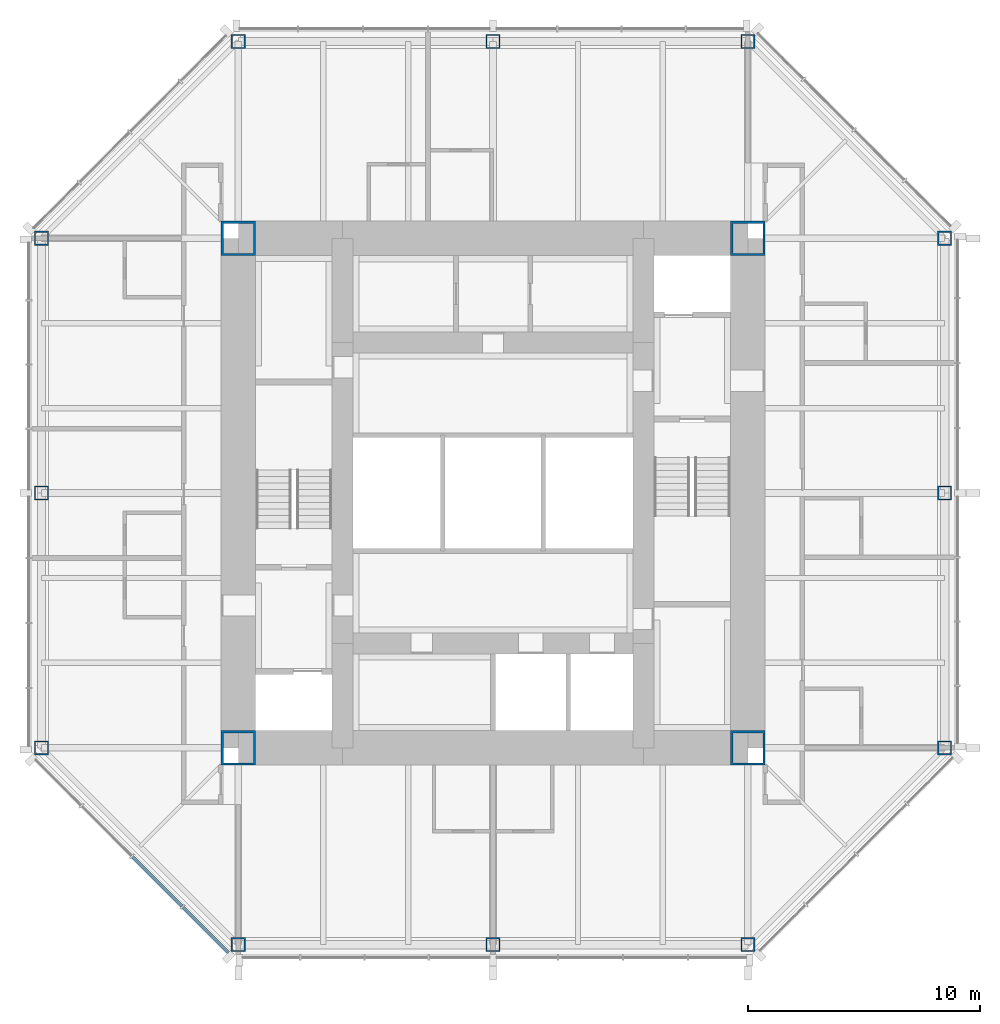
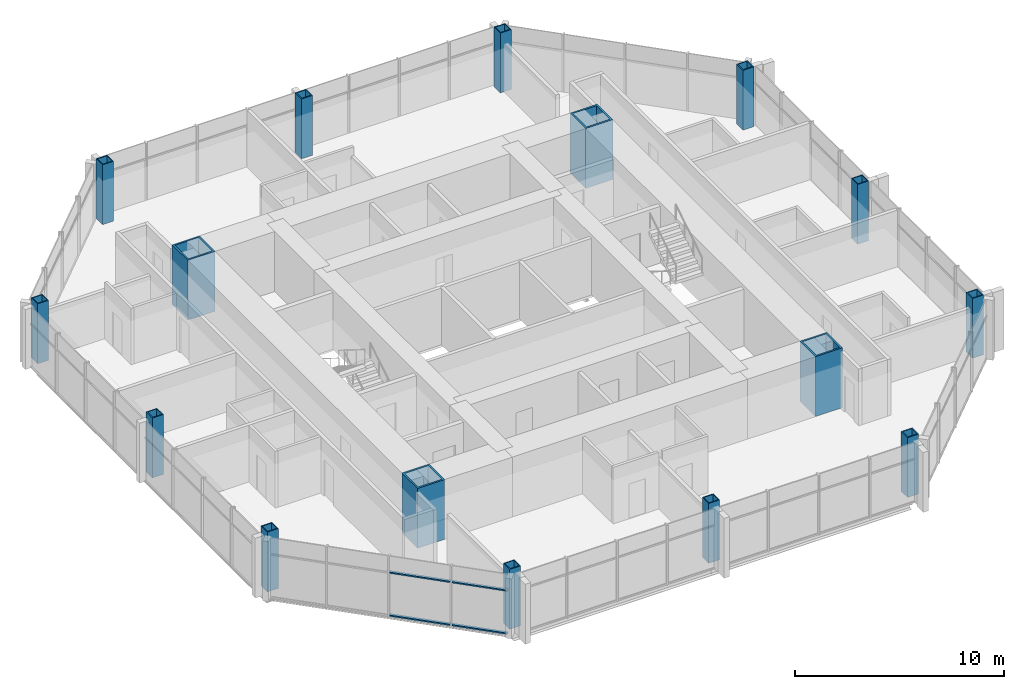
# One storey, part 1 of 11: 16 columns, 4 members, 1 element without a shape of its own.
"""IFC4 building model written with IfcOpenShell, lengths in metres."""

import ifcopenshell
import ifcopenshell.guid

model = None  # the IFC model being written
_history = None  # IfcOwnerHistory: only IFC2X3 demands one
_inside = {}  # id of a spatial element -> (the spatial element, [elements in it])
_under = {}  # id of a project, library or spatial element -> (it, [spatial elements below it])
_declared = {}  # id of a project -> (the project, [libraries it declares])
_typed = {}  # id of a type object -> (the type object, [elements of that type])
_made_of = {}  # id of a material, layer set ... -> (it, [elements and type objects made of it])


def new_model(schema):
    """Start an empty IFC model of exactly this schema.

    Asked for "IFC4X3", IfcOpenShell would pick the latest addendum, in which some entities
    have other attributes; the version numbers below select the first issue.
    IFC2X3 requires an IfcOwnerHistory on every rooted entity: one is made here for all.
    """
    global model, _history
    if schema == "IFC4X3":
        model = ifcopenshell.file(schema_version=(4, 3, 0, 0))
    else:
        model = ifcopenshell.file(schema=schema)
    _inside.clear()
    _under.clear()
    _declared.clear()
    _typed.clear()
    _made_of.clear()
    _history = None
    if model.schema == "IFC2X3":
        org = make("IfcOrganization", Name="unknown")
        user = make(
            "IfcPersonAndOrganization",
            ThePerson=make("IfcPerson", FamilyName="unknown"),
            TheOrganization=org,
        )
        app = make(
            "IfcApplication",
            ApplicationDeveloper=org,
            Version="unknown",
            ApplicationFullName="unknown",
            ApplicationIdentifier="unknown",
        )
        _history = make(
            "IfcOwnerHistory",
            OwningUser=user,
            OwningApplication=app,
            ChangeAction="ADDED",
            CreationDate=0,
        )
    return model


def make(cls, **values):
    """One entity of the class cls with the attributes given. An attribute that is None is left unset."""
    return model.create_entity(
        cls, **{name: value for name, value in values.items() if value is not None}
    )


def rooted(cls, **values):
    """An entity with a GlobalId (a new one), such as an element, a storey or a relation."""
    return make(cls, GlobalId=ifcopenshell.guid.new(), OwnerHistory=_history, **values)


def si_unit(unit_type, name, prefix=None):
    """IfcSIUnit, for example si_unit("LENGTHUNIT", "METRE", prefix="MILLI")."""
    return make("IfcSIUnit", UnitType=unit_type, Prefix=prefix, Name=name)


def assignment(units):
    """IfcUnitAssignment: the units of a project."""
    return None if units is None else make("IfcUnitAssignment", Units=units)


def point(xyz):
    """IfcCartesianPoint."""
    return None if xyz is None else make("IfcCartesianPoint", Coordinates=xyz)


def direction(xyz):
    """IfcDirection."""
    return None if xyz is None else make("IfcDirection", DirectionRatios=xyz)


def frame(location, z_axis=None, x_axis=None):
    """IfcAxis2Placement3D, a coordinate frame: its origin and axes. An axis left out is left unset."""
    return make(
        "IfcAxis2Placement3D",
        Location=point(location),
        Axis=direction(z_axis),
        RefDirection=direction(x_axis),
    )


def frame_2d(location, x_axis=None):
    """IfcAxis2Placement2D, a coordinate frame in the plane: its origin and x axis."""
    return make(
        "IfcAxis2Placement2D", Location=point(location), RefDirection=direction(x_axis)
    )


def origin():
    """The frame at (0, 0, 0) with its axes left unset."""
    return frame((0.0, 0.0, 0.0))


def origin_2d():
    """The frame at (0, 0) in the plane with its x axis left unset."""
    return frame_2d((0.0, 0.0))


def place(relative_to, where):
    """IfcLocalPlacement: puts the frame where relative to a parent placement (None: the world)."""
    return make(
        "IfcLocalPlacement", PlacementRelTo=relative_to, RelativePlacement=where
    )


def context(
    kind, dimensions, precision=None, world=None, true_north=None, identifier=None
):
    """IfcGeometricRepresentationContext, for example the 3D "Model" context."""
    return make(
        "IfcGeometricRepresentationContext",
        ContextIdentifier=identifier,
        ContextType=kind,
        CoordinateSpaceDimension=dimensions,
        Precision=precision,
        WorldCoordinateSystem=world,
        TrueNorth=true_north,
    )


def subcontext(parent, identifier, kind, view, scale=None):
    """IfcGeometricRepresentationSubContext, for example "Body" below "Model"."""
    return make(
        "IfcGeometricRepresentationSubContext",
        ContextIdentifier=identifier,
        ContextType=kind,
        ParentContext=parent,
        TargetScale=scale,
        TargetView=view,
    )


def project(units=None, contexts=None):
    """IfcProject with its units and contexts."""
    return rooted(
        "IfcProject",
        Name="project",
        RepresentationContexts=contexts,
        UnitsInContext=assignment(units),
    )


def spatial(cls, under=None, at=None, **own):
    """A site, building, storey or space (cls), placed at a placement, below another one or the project."""
    s = rooted(cls, ObjectPlacement=at, **own)
    if under is not None:
        _under.setdefault(under.id(), (under, []))[1].append(s)
    return s


def profile(cls, at=None, kind="AREA", **sizes):
    """A parametric profile (cls). Its sizes go by their IFC names, for example OverallWidth=200.0."""
    return make(cls, ProfileType=kind, Position=at, **sizes)


def rectangle(**sizes):
    """IfcRectangleProfileDef."""
    return profile("IfcRectangleProfileDef", **sizes)


def hollow_rectangle(**sizes):
    """IfcRectangleHollowProfileDef."""
    return profile("IfcRectangleHollowProfileDef", **sizes)


def extrude(swept, where, along, depth):
    """IfcExtrudedAreaSolid: the profile swept, set in the frame where, extruded along a direction by depth."""
    return make(
        "IfcExtrudedAreaSolid",
        SweptArea=swept,
        Position=where,
        ExtrudedDirection=direction(along),
        Depth=depth,
    )


def shape(context_of_items, identifier, shape_type, items):
    """IfcShapeRepresentation: the items that make up one representation, for example the "Body"."""
    return make(
        "IfcShapeRepresentation",
        ContextOfItems=context_of_items,
        RepresentationIdentifier=identifier,
        RepresentationType=shape_type,
        Items=items,
    )


def material(Name=None, Category=None):
    """IfcMaterial."""
    return make("IfcMaterial", Name=Name, Category=Category)


def material_profile(
    of_material, cross_section, Name=None, Category=None, Priority=None
):
    """IfcMaterialProfile: a cross section and its material."""
    return make(
        "IfcMaterialProfile",
        Name=Name,
        Material=of_material,
        Profile=cross_section,
        Priority=Priority,
        Category=Category,
    )


def profile_set(profiles, Name=None, composite=None):
    """IfcMaterialProfileSet."""
    return make(
        "IfcMaterialProfileSet",
        Name=Name,
        MaterialProfiles=profiles,
        CompositeProfile=composite,
    )


def made_of(thing, what):
    """Note that an element or type object is made of a material, layer set ...; save() writes the relation."""
    if what is not None:
        _made_of.setdefault(what.id(), (what, []))[1].append(thing)
    return thing


def type_object(cls, material=None, **own):
    """A type object (cls), such as IfcWallType, which elements share."""
    return made_of(rooted(cls, **own), material)


def element(
    cls,
    number,
    at=None,
    inside=None,
    cuts=None,
    type_object=None,
    material=None,
    context=None,
    identifier="Body",
    shape_type=None,
    held_by="IfcProductDefinitionShape",
    body=None,
    shapes=None,
    **own,
):
    """One element of the class cls, such as IfcWall. Its Tag is "e" and its number.

    at: its placement. inside: the storey or other place that contains it. cuts: it is an
    opening in that element (IfcRelVoidsElement). A single representation is given by context,
    identifier, shape_type and body (its items); several are given by shapes. held_by: the class
    of the entity that holds the representations. save() writes the other relations.
    """
    e = rooted(cls, Tag="e%d" % number, ObjectPlacement=at, **own)
    if body is not None:
        shapes = [shape(context, identifier, shape_type, body)]
    if shapes is not None:
        e.Representation = make(held_by, Representations=shapes)
    if inside is not None:
        _inside.setdefault(inside.id(), (inside, []))[1].append(e)
    if cuts is not None:
        rooted(
            "IfcRelVoidsElement", RelatingBuildingElement=cuts, RelatedOpeningElement=e
        )
    if type_object is not None:
        _typed.setdefault(type_object.id(), (type_object, []))[1].append(e)
    return made_of(e, material)


def aggregate(whole, parts):
    """IfcRelAggregates: a whole, such as a stair, and the parts it consists of."""
    return rooted("IfcRelAggregates", RelatingObject=whole, RelatedObjects=parts)


def save(model, path):
    """Write the relations noted so far, then the file.

    IfcRelAggregates (storeys below a building ...), IfcRelContainedInSpatialStructure (elements
    in a storey), IfcRelDefinesByType, IfcRelAssociatesMaterial and IfcRelDeclares: one each for
    every whole, place, type object, material and project.
    """
    for whole, parts in _under.values():
        aggregate(whole, parts)
    for where, things in _inside.values():
        rooted(
            "IfcRelContainedInSpatialStructure",
            RelatedElements=things,
            RelatingStructure=where,
        )
    for kind, things in _typed.values():
        rooted("IfcRelDefinesByType", RelatedObjects=things, RelatingType=kind)
    for what, things in _made_of.values():
        rooted("IfcRelAssociatesMaterial", RelatedObjects=things, RelatingMaterial=what)
    for by, libraries in _declared.values():
        rooted("IfcRelDeclares", RelatingContext=by, RelatedDefinitions=libraries)
    model.write(path)


model = new_model("IFC4")

# Units and contexts
model_context = context("Model", 3, precision=1e-05, world=origin(), true_north=direction((0.0, 1.0)))
body_context = subcontext(model_context, "Body", "Model", "MODEL_VIEW")
ifc_project = project(units=[si_unit("LENGTHUNIT", "METRE"), si_unit("AREAUNIT", "SQUARE_METRE"), si_unit("VOLUMEUNIT", "CUBIC_METRE"), si_unit("PLANEANGLEUNIT", "RADIAN"), si_unit("MASSUNIT", "GRAM", prefix="KILO")], contexts=[model_context])

# Site, building, storey
site_placement = place(None, origin())
site = spatial("IfcSite", under=ifc_project, at=site_placement, CompositionType="ELEMENT")
building_placement = place(site_placement, origin())
building = spatial("IfcBuilding", under=site, at=building_placement, Name="Trevanion Tower", CompositionType="ELEMENT")
storey_placement = place(building_placement, frame((0.0, 0.0, 239.699951171875)))
storey = spatial("IfcBuildingStorey", under=building, at=storey_placement, Name="L58", CompositionType="ELEMENT", Elevation=239.699951171875)

# Columns
ifc_material_1 = material(Name="Steel ASTM A572 Grade 50", Category="steel")
ifc_material_profile_1 = material_profile(ifc_material_1, hollow_rectangle(XDim=0.609619140625, YDim=0.609619140625, WallThickness=0.05078125, at=origin_2d()), Name="BOX24X24X2")
ifc_profile_set_1 = profile_set([ifc_material_profile_1], Name="Steel ASTM A572 Grade 50")
column_type_1 = type_object("IfcColumnType", Name="C5 BOX24X24X2", PredefinedType="COLUMN", material=ifc_profile_set_1)
for number, where, z_axis, x_axis, name in (
    (1, (-19.5, 0.0, 0.0), (0.0, 0.0, 1.0), (0.0, 1.0, 0.0), "C5 5/H L58"),
    (2, (-19.5, -11.0, 0.0), (0.0, 0.0, 1.0), (0.0, 1.0, 0.0), "C5 5/F L58"),
    (3, (-11.0, -19.5, 0.0), (0.0, 0.0, 1.0), (1.0, 0.0, 0.0), "C5 8/C L58"),
    (4, (0.0, -19.5, 0.0), (0.0, 0.0, 1.0), (1.0, 0.0, 0.0), "C5 10/C L58"),
    (5, (11.0, -19.5, 0.0), (0.0, 0.0, 1.0), (1.0, 0.0, 0.0), "C5 12/C L58"),
    (6, (19.5, -11.0, 0.0), (0.0, 0.0, 1.0), (0.0, 1.0, 0.0), "C5 15/F L58"),
    (7, (19.5, 0.0, 0.0), (0.0, 0.0, 1.0), (0.0, 1.0, 0.0), "C5 15/H L58"),
    (8, (19.5, 11.0, 0.0), (0.0, 0.0, 1.0), (0.0, 1.0, 0.0), "C5 15/K L58"),
    (9, (11.0, 19.5, 0.0), (0.0, 0.0, 1.0), (1.0, 0.0, 0.0), "C5 12/N L58"),
    (10, (0.0, 19.5, 0.0), (0.0, 0.0, 1.0), (1.0, 0.0, 0.0), "C5 10/N L58"),
    (11, (-11.0, 19.5, 0.0), (0.0, 0.0, 1.0), (1.0, 0.0, 0.0), "C5 8/N L58"),
    (12, (-19.5, 11.0, 0.0), (0.0, 0.0, 1.0), (0.0, 1.0, 0.0), "C5 5/K L58"),
):
    element("IfcColumn", number, at=place(storey_placement, frame(where, z_axis=z_axis, x_axis=x_axis)), inside=storey, type_object=column_type_1, Name=name, PredefinedType="COLUMN", context=body_context, shape_type="SweptSolid", body=[
        extrude(hollow_rectangle(XDim=0.609619140625, YDim=0.609619140625, WallThickness=0.05078125, at=origin_2d()), origin(), (0.0, 0.0, 1.0), 3.5),
    ])
ifc_material_2 = material(Name="Steel ASTM A572 Grade 50", Category="steel")
ifc_material_profile_2 = material_profile(ifc_material_2, hollow_rectangle(XDim=1.49853515625, YDim=1.49853515625, WallThickness=0.1015625, at=origin_2d()), Name="BOX59X59X4")
ifc_profile_set_2 = profile_set([ifc_material_profile_2], Name="Steel ASTM A572 Grade 50")
column_type_2 = type_object("IfcColumnType", Name="CB1 BOX59X59X4", PredefinedType="COLUMN", material=ifc_profile_set_2)
for number, where, z_axis, x_axis, name in (
    (13, (11.0, 11.0, 0.0), (0.0, 0.0, 1.0), (1.0, 0.0, 0.0), "CB1 NE L58"),
    (14, (-11.0, 11.0, 0.0), (0.0, 0.0, 1.0), (1.0, 0.0, 0.0), "CB1 NW L58"),
    (15, (-11.0, -11.0, 0.0), (0.0, 0.0, 1.0), (1.0, 0.0, 0.0), "CB1 SW L58"),
    (16, (11.0, -11.0, 0.0), (0.0, 0.0, 1.0), (1.0, 0.0, 0.0), "CB1 SE L58"),
):
    element("IfcColumn", number, at=place(storey_placement, frame(where, z_axis=z_axis, x_axis=x_axis)), inside=storey, type_object=column_type_2, Name=name, PredefinedType="COLUMN", context=body_context, shape_type="SweptSolid", body=[
        extrude(hollow_rectangle(XDim=1.49853515625, YDim=1.49853515625, WallThickness=0.1015625, at=origin_2d()), origin(), (0.0, 0.0, 1.0), 3.5),
    ])

# Curtain wall, members
ifc_material_3 = material(Name="Aluminium and glass", Category="aluminium")
curtain_wall_type = type_object("IfcCurtainWallType", Name="CW3 curtain wall", PredefinedType="USERDEFINED", material=ifc_material_3)
curtain_wall_placement = place(storey_placement, origin())
curtain_wall = element("IfcCurtainWall", 17, at=curtain_wall_placement, inside=storey, type_object=curtain_wall_type, Name="CW3 L58 5", ObjectType="UNITISED CURTAIN WALL", PredefinedType="USERDEFINED")
ifc_material_4 = material(Name="Aluminium extrusion, anodised bronze", Category="aluminium")
ifc_material_profile_3 = material_profile(ifc_material_4, rectangle(XDim=0.14990234375, YDim=0.074951171875, at=origin_2d()), Name="CW3 transom")
ifc_profile_set_3 = profile_set([ifc_material_profile_3], Name="Aluminium extrusion, anodised bronze")
member_type = type_object("IfcMemberType", Name="CW3 transom", PredefinedType="USERDEFINED", material=ifc_profile_set_3)
member_1_placement = place(storey_placement, frame((-15.56640625, -15.71142578125, -0.15234375), z_axis=(0.707106781187, -0.707106781187, 0.0), x_axis=(0.707106781187, 0.707106781187, 0.0)))
member_1 = element("IfcMember", 18, at=member_1_placement, type_object=member_type, Name="CW3 transom 3.1", ObjectType="TRANSOM", PredefinedType="USERDEFINED", context=body_context, shape_type="SweptSolid", body=[
    extrude(rectangle(XDim=0.14990234375, YDim=0.074951171875, at=origin_2d()), origin(), (0.0, 0.0, 1.0), 3.011474609375),
])
member_2_placement = place(storey_placement, frame((-15.56640625, -15.71142578125, 2.360107421875), z_axis=(0.707106781187, -0.707106781187, 0.0), x_axis=(0.707106781187, 0.707106781187, 0.0)))
member_2 = element("IfcMember", 19, at=member_2_placement, type_object=member_type, Name="CW3 transom 3.2", ObjectType="TRANSOM", PredefinedType="USERDEFINED", context=body_context, shape_type="SweptSolid", body=[
    extrude(rectangle(XDim=0.14990234375, YDim=0.074951171875, at=origin_2d()), origin(), (0.0, 0.0, 1.0), 3.011474609375),
])
member_3_placement = place(storey_placement, frame((-13.3837890625, -17.89404296875, -0.15234375), z_axis=(0.707106781187, -0.707106781187, 0.0), x_axis=(0.707106781187, 0.707106781187, 0.0)))
member_3 = element("IfcMember", 20, at=member_3_placement, type_object=member_type, Name="CW3 transom 4.1", ObjectType="TRANSOM", PredefinedType="USERDEFINED", context=body_context, shape_type="SweptSolid", body=[
    extrude(rectangle(XDim=0.14990234375, YDim=0.074951171875, at=origin_2d()), origin(), (0.0, 0.0, 1.0), 2.7490234375),
])
member_4_placement = place(storey_placement, frame((-13.3837890625, -17.89404296875, 2.360107421875), z_axis=(0.707106781187, -0.707106781187, 0.0), x_axis=(0.707106781187, 0.707106781187, 0.0)))
member_4 = element("IfcMember", 21, at=member_4_placement, type_object=member_type, Name="CW3 transom 4.2", ObjectType="TRANSOM", PredefinedType="USERDEFINED", context=body_context, shape_type="SweptSolid", body=[
    extrude(rectangle(XDim=0.14990234375, YDim=0.074951171875, at=origin_2d()), origin(), (0.0, 0.0, 1.0), 2.7490234375),
])
aggregate(curtain_wall, [member_1, member_2, member_3, member_4])

save(model, "model.ifc")
